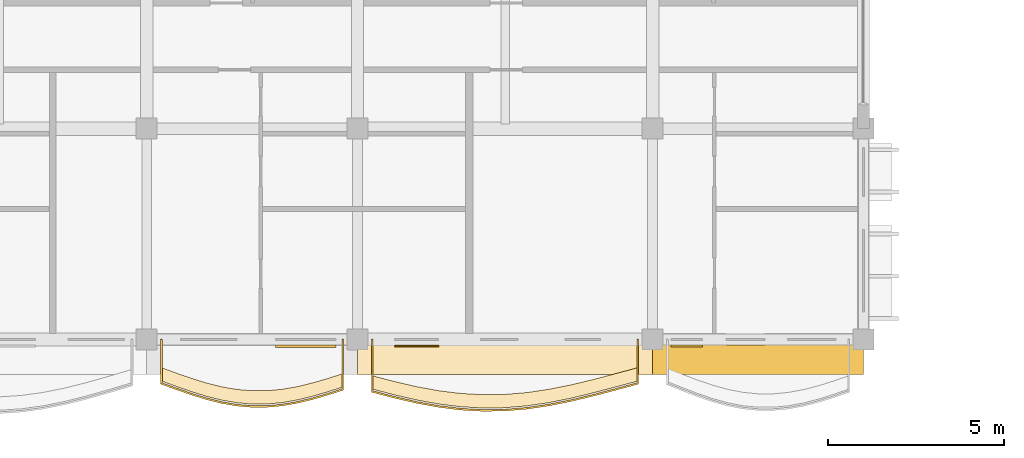
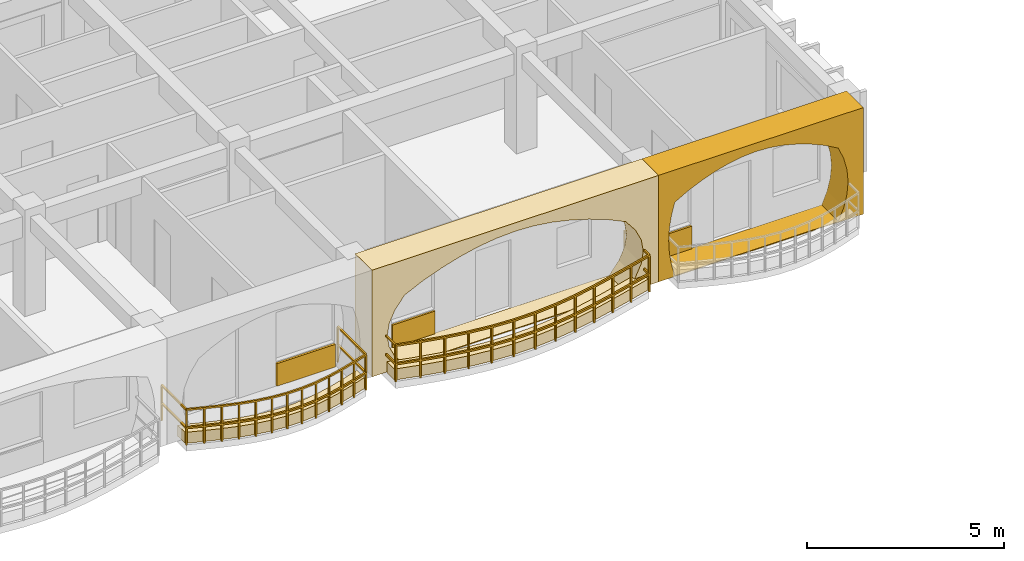
# One storey, part 54 of 79: 7 coverings, 2 railings.
"""IFC4 building model written with IfcOpenShell, lengths in metres."""

from ifc_helpers import new_model, si_unit, direction, frame, origin, origin_2d, place, context, subcontext, project, spatial, polyline, rectangle, outline, extrude, material, layer, layer_set, type_object, element, save


model = new_model("IFC4")

# Units and contexts
model_context = context("Model", 3, precision=1e-05, world=origin(), true_north=direction((0.0, 1.0)))
body_context = subcontext(model_context, "Body", "Model", "MODEL_VIEW")
ifc_project = project(units=[si_unit("LENGTHUNIT", "METRE"), si_unit("AREAUNIT", "SQUARE_METRE"), si_unit("VOLUMEUNIT", "CUBIC_METRE"), si_unit("PLANEANGLEUNIT", "RADIAN"), si_unit("MASSUNIT", "GRAM", prefix="KILO"), si_unit("THERMODYNAMICTEMPERATUREUNIT", "KELVIN")], contexts=[model_context])

# Site, building, storey
site_placement = place(None, origin())
site = spatial("IfcSite", under=ifc_project, at=site_placement, CompositionType="ELEMENT")
building_placement = place(site_placement, origin())
building = spatial("IfcBuilding", under=site, at=building_placement, Name="Thalorik Housing Commons", CompositionType="ELEMENT")
storey_placement = place(building_placement, frame((0.0, 0.0, 11.39990234375)))
storey = spatial("IfcBuildingStorey", under=building, at=storey_placement, Name="L03", CompositionType="ELEMENT", Elevation=11.39990234375)

# Coverings
ifc_material_1 = material(Name="Cobalt blue glazed ceramic facade tile panel", Category="masonry")
ifc_layer_1 = layer(ifc_material_1, 0.06005859375, Name="Cobalt blue glazed ceramic facade tile panel", Category="masonry")
ifc_layer_set_1 = layer_set([ifc_layer_1], Name="Cobalt blue glazed ceramic facade tile panel")
covering_type_1 = type_object("IfcCoveringType", Name="ARC-CLD-BLU-60", PredefinedType="CLADDING", material=ifc_layer_set_1)
covering_1_placement = place(storey_placement, frame((52.574951171875, 8.21240234375, 0.05029296875), z_axis=(0.0, 0.0, 1.0), x_axis=(1.0, 0.0, 0.0)))
element("IfcCovering", 1, at=covering_1_placement, inside=storey, type_object=covering_type_1, Name="L03 De Stijl Recessed Window Spandrel 3735", PredefinedType="CLADDING", context=body_context, shape_type="SweptSolid", body=[
    extrude(rectangle(XDim=0.89990234375, YDim=0.06005859375, at=origin_2d()), origin(), (0.0, 0.0, 1.0), 0.699951171875),
])
ifc_material_2 = material(Name="Precast concrete C40/50", Category="concrete")
ifc_layer_2 = layer(ifc_material_2, 0.85009765625, Name="Precast concrete C40/50", Category="concrete")
ifc_layer_set_2 = layer_set([ifc_layer_2], Name="Precast concrete C40/50")
covering_type_2 = type_object("IfcCoveringType", Name="ARC-CLD-CUSH-850", PredefinedType="CLADDING", material=ifc_layer_set_2)
covering_2_placement = place(storey_placement, frame((47.39990234375, 7.822509765625, 0.0), z_axis=(0.0, 0.0, 1.0), x_axis=(1.0, 0.0, 0.0)))
element("IfcCovering", 2, at=covering_2_placement, inside=storey, type_object=covering_type_2, Name="L03 White Precast Curved Cushion Bay Frame 3732", PredefinedType="CLADDING", context=body_context, shape_type="SweptSolid", body=[
    extrude(outline(polyline([(-4.199951171875, 0.0), (4.199951171875, 0.0), (4.199951171875, 3.300048828125), (-4.199951171875, 3.300048828125), (-4.199951171875, 0.0)]), holes=[polyline([(3.239990234375, 0.02490234375), (3.523193359375, 0.387451171875), (3.693359375, 0.75), (3.75, 1.112548828125), (3.693359375, 1.47509765625), (3.523193359375, 1.83740234375), (3.239990234375, 2.199951171875), (2.699951171875, 2.455810546875), (2.159912109375, 2.656494140625), (1.6201171875, 2.819091796875), (1.080078125, 2.940185546875), (0.5400390625, 3.014892578125), (0.0, 3.0400390625), (-0.5400390625, 3.014892578125), (-1.080078125, 2.940185546875), (-1.6201171875, 2.819091796875), (-2.159912109375, 2.656494140625), (-2.699951171875, 2.455810546875), (-3.239990234375, 2.199951171875), (-3.523193359375, 1.83740234375), (-3.693359375, 1.47509765625), (-3.75, 1.112548828125), (-3.693359375, 0.75), (-3.523193359375, 0.387451171875), (-3.239990234375, 0.02490234375), (3.239990234375, 0.02490234375)])]), frame((0.0, 0.425048828125, 0.0), z_axis=(0.0, -1.0, 0.0), x_axis=(1.0, 0.0, 0.0)), (0.0, 0.0, 1.0), 0.85009765625),
])
covering_3_placement = place(storey_placement, frame((54.60009765625, 7.822509765625, 0.0), z_axis=(0.0, 0.0, 1.0), x_axis=(1.0, 0.0, 0.0)))
element("IfcCovering", 3, at=covering_3_placement, inside=storey, type_object=covering_type_2, Name="L03 White Precast Curved Cushion Bay Frame 3734", PredefinedType="CLADDING", context=body_context, shape_type="SweptSolid", body=[
    extrude(outline(polyline([(-3.0, 0.0), (3.0, 0.0), (3.0, 3.300048828125), (-3.0, 3.300048828125), (-3.0, 0.0)]), holes=[polyline([(2.264892578125, 0.02490234375), (2.42333984375, 0.404296875), (2.518310546875, 0.783203125), (2.550048828125, 1.16259765625), (2.518310546875, 1.541748046875), (2.42333984375, 1.9208984375), (2.264892578125, 2.300048828125), (1.86572265625, 2.525390625), (1.466796875, 2.7021484375), (1.0673828125, 2.845458984375), (0.668212890625, 2.951904296875), (0.269287109375, 3.017822265625), (-0.1298828125, 3.0400390625), (-0.529296875, 3.017822265625), (-0.92822265625, 2.951904296875), (-1.327392578125, 2.845458984375), (-1.726806640625, 2.7021484375), (-2.125732421875, 2.525390625), (-2.52490234375, 2.300048828125), (-2.625244140625, 1.9208984375), (-2.685302734375, 1.541748046875), (-2.70556640625, 1.16259765625), (-2.685302734375, 0.783203125), (-2.625244140625, 0.404296875), (-2.52490234375, 0.02490234375), (2.264892578125, 0.02490234375)])]), frame((0.0, 0.425048828125, 0.0), z_axis=(0.0, -1.0, 0.0), x_axis=(1.0, 0.0, 0.0)), (0.0, 0.0, 1.0), 0.85009765625),
])
ifc_material_3 = material(Name="Terracotta red mineral fibre-cement panel", Category="masonry")
ifc_layer_3 = layer(ifc_material_3, 0.054931640625, Name="Terracotta red mineral fibre-cement panel", Category="masonry")
ifc_layer_set_3 = layer_set([ifc_layer_3], Name="Terracotta red mineral fibre-cement panel")
covering_type_3 = type_object("IfcCoveringType", Name="ARC-CLD-RED-55", PredefinedType="CLADDING", material=ifc_layer_set_3)
covering_4_placement = place(storey_placement, frame((44.885009765625, 8.215087890625, 0.05029296875), z_axis=(0.0, 0.0, 1.0), x_axis=(1.0, 0.0, 0.0)))
element("IfcCovering", 4, at=covering_4_placement, inside=storey, type_object=covering_type_3, Name="L03 De Stijl Recessed Window Spandrel 3733", PredefinedType="CLADDING", context=body_context, shape_type="SweptSolid", body=[
    extrude(rectangle(XDim=1.25, YDim=0.054931640625, at=origin_2d()), origin(), (0.0, 0.0, 1.0), 0.699951171875),
])
ifc_material_4 = material(Name="Mineral ochre architectural terracotta panel", Category="masonry")
ifc_layer_4 = layer(ifc_material_4, 0.06494140625, Name="Mineral ochre architectural terracotta panel", Category="masonry")
ifc_layer_set_4 = layer_set([ifc_layer_4], Name="Mineral ochre architectural terracotta panel")
covering_type_4 = type_object("IfcCoveringType", Name="ARC-CLD-YEL-65", PredefinedType="CLADDING", material=ifc_layer_set_4)
covering_5_placement = place(storey_placement, frame((41.72998046875, 8.2099609375, 0.05029296875), z_axis=(0.0, 0.0, 1.0), x_axis=(1.0, 0.0, 0.0)))
element("IfcCovering", 5, at=covering_5_placement, inside=storey, type_object=covering_type_4, Name="L03 De Stijl Recessed Window Spandrel 3731", PredefinedType="CLADDING", context=body_context, shape_type="SweptSolid", body=[
    extrude(rectangle(XDim=1.719970703125, YDim=0.06494140625, at=origin_2d()), origin(), (0.0, 0.0, 1.0), 0.699951171875),
])
ifc_material_5 = material(Name="Planted vegetated substrate and terracotta trough", Category="masonry")
ifc_layer_5 = layer(ifc_material_5, 0.340087890625, Name="Planted vegetated substrate and terracotta trough", Category="masonry")
ifc_layer_set_5 = layer_set([ifc_layer_5], Name="Planted vegetated substrate and terracotta trough")
covering_type_5 = type_object("IfcCoveringType", Name="ARC-COV-PLANTER", PredefinedType="USERDEFINED", material=ifc_layer_set_5)
covering_6_placement = place(storey_placement, origin())
element("IfcCovering", 6, at=covering_6_placement, inside=storey, type_object=covering_type_5, Name="L03 Balcony Slab-Edge Planted Trough 5584", ObjectType="PLANTER", PredefinedType="USERDEFINED", context=body_context, shape_type="SweptSolid", body=[
    extrude(outline(polyline([(37.6201171875, 7.21728515625), (38.050048828125, 7.0615234375), (38.47998046875, 6.912353515625), (38.909912109375, 6.77978515625), (39.340087890625, 6.673095703125), (39.77001953125, 6.5986328125), (40.199951171875, 6.561279296875), (40.6298828125, 6.5634765625), (41.06005859375, 6.603759765625), (41.489990234375, 6.67919921875), (41.919921875, 6.78369140625), (42.35009765625, 6.9091796875), (42.780029296875, 7.047119140625), (42.780029296875, 7.427001953125), (42.35009765625, 7.289306640625), (41.919921875, 7.16357421875), (41.489990234375, 7.05908203125), (41.06005859375, 6.98388671875), (40.6298828125, 6.943359375), (40.199951171875, 6.94140625), (39.77001953125, 6.978515625), (39.340087890625, 7.052978515625), (38.909912109375, 7.159912109375), (38.47998046875, 7.29248046875), (38.050048828125, 7.441650390625), (37.6201171875, 7.597412109375), (37.6201171875, 7.21728515625)])), origin(), (0.0, 0.0, 1.0), 0.340087890625),
])
covering_7_placement = place(storey_placement, origin())
element("IfcCovering", 7, at=covering_7_placement, inside=storey, type_object=covering_type_5, Name="L03 Balcony Slab-Edge Planted Trough 5585", ObjectType="PLANTER", PredefinedType="USERDEFINED", context=body_context, shape_type="SweptSolid", body=[
    extrude(outline(polyline([(43.6201171875, 6.98876953125), (44.25, 6.823974609375), (44.8798828125, 6.6787109375), (45.510009765625, 6.56298828125), (46.139892578125, 6.484619140625), (46.77001953125, 6.448974609375), (47.39990234375, 6.458251953125), (48.030029296875, 6.511474609375), (48.659912109375, 6.604736328125), (49.2900390625, 6.731689453125), (49.919921875, 6.88330078125), (50.550048828125, 7.04931640625), (51.179931640625, 7.218017578125), (51.179931640625, 7.597900390625), (50.550048828125, 7.42919921875), (49.919921875, 7.263427734375), (49.2900390625, 7.11181640625), (48.659912109375, 6.98486328125), (48.030029296875, 6.891357421875), (47.39990234375, 6.838134765625), (46.77001953125, 6.8291015625), (46.139892578125, 6.86474609375), (45.510009765625, 6.94287109375), (44.8798828125, 7.05859375), (44.25, 7.203857421875), (43.6201171875, 7.368896484375), (43.6201171875, 6.98876953125)])), origin(), (0.0, 0.0, 1.0), 0.340087890625),
])

# Railings
ifc_material_6 = material(Name="Steel S355", Category="steel")
railing_type_1 = type_object("IfcRailingType", Name="ARC-RL-BAL-112", PredefinedType="BALUSTRADE", material=ifc_material_6)
railing_1_placement = place(storey_placement, frame((37.6201171875, 8.39990234375, 0.0)))
element("IfcRailing", 8, at=railing_1_placement, inside=storey, type_object=railing_type_1, Name="L03 Cushion Balcony Guardrail 268", PredefinedType="BALUSTRADE", context=body_context, shape_type="SweptSolid", body=[
    extrude(rectangle(XDim=0.050048828125, YDim=0.050048828125, at=origin_2d()), frame((0.0, 0.0, 1.09521484375), z_axis=(0.0, -1.0, 0.0), x_axis=(1.0, 0.0, 0.0)), (0.0, 0.0, 1.0), 1.25244140625),
    extrude(rectangle(XDim=0.050048828125, YDim=0.050048828125, at=origin_2d()), frame((0.0, 0.0, 0.53515625), z_axis=(0.0, -1.0, 0.0), x_axis=(1.0, 0.0, 0.0)), (0.0, 0.0, 1.0), 1.25244140625),
    extrude(rectangle(XDim=0.050048828125, YDim=0.050048828125, at=origin_2d()), frame((0.0, -1.25244140625, 1.09521484375), z_axis=(0.940198058988, -0.3406282576, 0.0), x_axis=(0.3406282576, 0.940198058988, 0.0)), (0.0, 0.0, 1.0), 0.457275390625),
    extrude(rectangle(XDim=0.050048828125, YDim=0.050048828125, at=origin_2d()), frame((0.0, -1.25244140625, 0.53515625), z_axis=(0.940198058988, -0.3406282576, 0.0), x_axis=(0.3406282576, 0.940198058988, 0.0)), (0.0, 0.0, 1.0), 0.457275390625),
    extrude(rectangle(XDim=0.050048828125, YDim=0.050048828125, at=origin_2d()), frame((0.429931640625, -1.408203125, 1.09521484375), z_axis=(0.944583599267, -0.328270961244, 0.0), x_axis=(0.328270961244, 0.944583599267, 0.0)), (0.0, 0.0, 1.0), 0.455078125),
    extrude(rectangle(XDim=0.050048828125, YDim=0.050048828125, at=origin_2d()), frame((0.429931640625, -1.408203125, 0.53515625), z_axis=(0.944583599267, -0.328270961244, 0.0), x_axis=(0.328270961244, 0.944583599267, 0.0)), (0.0, 0.0, 1.0), 0.455078125),
    extrude(rectangle(XDim=0.050048828125, YDim=0.050048828125, at=origin_2d()), frame((0.85986328125, -1.5576171875, 1.09521484375), z_axis=(0.955755536076, -0.294162124108, 0.0), x_axis=(0.294162124108, 0.955755536076, 0.0)), (0.0, 0.0, 1.0), 0.449951171875),
    extrude(rectangle(XDim=0.050048828125, YDim=0.050048828125, at=origin_2d()), frame((0.85986328125, -1.5576171875, 0.53515625), z_axis=(0.955755536076, -0.294162124108, 0.0), x_axis=(0.294162124108, 0.955755536076, 0.0)), (0.0, 0.0, 1.0), 0.449951171875),
    extrude(rectangle(XDim=0.050048828125, YDim=0.050048828125, at=origin_2d()), frame((1.289794921875, -1.68994140625, 1.09521484375), z_axis=(0.970465619887, -0.241239467372, 0.0), x_axis=(0.241239467372, 0.970465619887, 0.0)), (0.0, 0.0, 1.0), 0.443359375),
    extrude(rectangle(XDim=0.050048828125, YDim=0.050048828125, at=origin_2d()), frame((1.289794921875, -1.68994140625, 0.53515625), z_axis=(0.970465619887, -0.241239467372, 0.0), x_axis=(0.241239467372, 0.970465619887, 0.0)), (0.0, 0.0, 1.0), 0.443359375),
    extrude(rectangle(XDim=0.050048828125, YDim=0.050048828125, at=origin_2d()), frame((1.719970703125, -1.796875, 1.09521484375), z_axis=(0.985330609253, -0.170656351972, 0.0), x_axis=(0.170656351972, 0.985330609253, 0.0)), (0.0, 0.0, 1.0), 0.436279296875),
    extrude(rectangle(XDim=0.050048828125, YDim=0.050048828125, at=origin_2d()), frame((1.719970703125, -1.796875, 0.53515625), z_axis=(0.985330609253, -0.170656351972, 0.0), x_axis=(0.170656351972, 0.985330609253, 0.0)), (0.0, 0.0, 1.0), 0.436279296875),
    extrude(rectangle(XDim=0.050048828125, YDim=0.050048828125, at=origin_2d()), frame((2.14990234375, -1.871337890625, 1.09521484375), z_axis=(0.996295581648, -0.085994848615, 0.0), x_axis=(0.085994848615, 0.996295581648, 0.0)), (0.0, 0.0, 1.0), 0.431640625),
    extrude(rectangle(XDim=0.050048828125, YDim=0.050048828125, at=origin_2d()), frame((2.14990234375, -1.871337890625, 0.53515625), z_axis=(0.996295581648, -0.085994848615, 0.0), x_axis=(0.085994848615, 0.996295581648, 0.0)), (0.0, 0.0, 1.0), 0.431640625),
    extrude(rectangle(XDim=0.050048828125, YDim=0.050048828125, at=origin_2d()), frame((2.579833984375, -1.908447265625, 1.09521484375), z_axis=(0.99998968131, 0.004542826491, 0.0), x_axis=(-0.004542826491, 0.99998968131, 0.0)), (0.0, 0.0, 1.0), 0.429931640625),
    extrude(rectangle(XDim=0.050048828125, YDim=0.050048828125, at=origin_2d()), frame((2.579833984375, -1.908447265625, 0.53515625), z_axis=(0.99998968131, 0.004542826491, 0.0), x_axis=(-0.004542826491, 0.99998968131, 0.0)), (0.0, 0.0, 1.0), 0.429931640625),
    extrude(rectangle(XDim=0.050048828125, YDim=0.050048828125, at=origin_2d()), frame((3.009765625, -1.906494140625, 1.09521484375), z_axis=(0.995644066759, 0.09323568162, 0.0), x_axis=(-0.09323568162, 0.995644066759, 0.0)), (0.0, 0.0, 1.0), 0.43212890625),
    extrude(rectangle(XDim=0.050048828125, YDim=0.050048828125, at=origin_2d()), frame((3.009765625, -1.906494140625, 0.53515625), z_axis=(0.995644066759, 0.09323568162, 0.0), x_axis=(-0.09323568162, 0.995644066759, 0.0)), (0.0, 0.0, 1.0), 0.43212890625),
    extrude(rectangle(XDim=0.050048828125, YDim=0.050048828125, at=origin_2d()), frame((3.43994140625, -1.8662109375, 1.09521484375), z_axis=(0.984952013954, 0.17282803652, 0.0), x_axis=(-0.17282803652, 0.984952013954, 0.0)), (0.0, 0.0, 1.0), 0.4365234375),
    extrude(rectangle(XDim=0.050048828125, YDim=0.050048828125, at=origin_2d()), frame((3.43994140625, -1.8662109375, 0.53515625), z_axis=(0.984952013954, 0.17282803652, 0.0), x_axis=(-0.17282803652, 0.984952013954, 0.0)), (0.0, 0.0, 1.0), 0.4365234375),
    extrude(rectangle(XDim=0.050048828125, YDim=0.050048828125, at=origin_2d()), frame((3.869873046875, -1.790771484375, 1.09521484375), z_axis=(0.97171211012, 0.236168531023, 0.0), x_axis=(-0.236168531023, 0.97171211012, 0.0)), (0.0, 0.0, 1.0), 0.4423828125),
    extrude(rectangle(XDim=0.050048828125, YDim=0.050048828125, at=origin_2d()), frame((3.869873046875, -1.790771484375, 0.53515625), z_axis=(0.97171211012, 0.236168531023, 0.0), x_axis=(-0.236168531023, 0.97171211012, 0.0)), (0.0, 0.0, 1.0), 0.4423828125),
    extrude(rectangle(XDim=0.050048828125, YDim=0.050048828125, at=origin_2d()), frame((4.2998046875, -1.686279296875, 1.09521484375), z_axis=(0.959841216107, 0.280543828771, 0.0), x_axis=(-0.280543828771, 0.959841216107, 0.0)), (0.0, 0.0, 1.0), 0.4482421875),
    extrude(rectangle(XDim=0.050048828125, YDim=0.050048828125, at=origin_2d()), frame((4.2998046875, -1.686279296875, 0.53515625), z_axis=(0.959841216107, 0.280543828771, 0.0), x_axis=(-0.280543828771, 0.959841216107, 0.0)), (0.0, 0.0, 1.0), 0.4482421875),
    extrude(rectangle(XDim=0.050048828125, YDim=0.050048828125, at=origin_2d()), frame((4.72998046875, -1.560546875, 1.09521484375), z_axis=(0.95234876715, 0.305011189479, 0.0), x_axis=(-0.305011189479, 0.95234876715, 0.0)), (0.0, 0.0, 1.0), 0.451416015625),
    extrude(rectangle(XDim=0.050048828125, YDim=0.050048828125, at=origin_2d()), frame((4.72998046875, -1.560546875, 0.53515625), z_axis=(0.95234876715, 0.305011189479, 0.0), x_axis=(-0.305011189479, 0.95234876715, 0.0)), (0.0, 0.0, 1.0), 0.451416015625),
    extrude(rectangle(XDim=0.050048828125, YDim=0.050048828125, at=origin_2d()), frame((5.159912109375, -1.4228515625, 1.09521484375), z_axis=(0.0, 1.0, 0.0), x_axis=(-1.0, 0.0, 0.0)), (0.0, 0.0, 1.0), 1.4228515625),
    extrude(rectangle(XDim=0.050048828125, YDim=0.050048828125, at=origin_2d()), frame((5.159912109375, -1.4228515625, 0.53515625), z_axis=(0.0, 1.0, 0.0), x_axis=(-1.0, 0.0, 0.0)), (0.0, 0.0, 1.0), 1.4228515625),
    extrude(rectangle(XDim=0.0419921875, YDim=0.0419921875, at=origin_2d()), origin(), (0.0, 0.0, 1.0), 1.070068359375),
    extrude(rectangle(XDim=0.0419921875, YDim=0.0419921875, at=origin_2d()), frame((0.0, -1.25244140625, 0.0)), (0.0, 0.0, 1.0), 1.070068359375),
    extrude(rectangle(XDim=0.0419921875, YDim=0.0419921875, at=origin_2d()), frame((0.429931640625, -1.408203125, 0.0)), (0.0, 0.0, 1.0), 1.070068359375),
    extrude(rectangle(XDim=0.0419921875, YDim=0.0419921875, at=origin_2d()), frame((0.85986328125, -1.5576171875, 0.0)), (0.0, 0.0, 1.0), 1.070068359375),
    extrude(rectangle(XDim=0.0419921875, YDim=0.0419921875, at=origin_2d()), frame((1.289794921875, -1.68994140625, 0.0)), (0.0, 0.0, 1.0), 1.070068359375),
    extrude(rectangle(XDim=0.0419921875, YDim=0.0419921875, at=origin_2d()), frame((1.719970703125, -1.796875, 0.0)), (0.0, 0.0, 1.0), 1.070068359375),
    extrude(rectangle(XDim=0.0419921875, YDim=0.0419921875, at=origin_2d()), frame((2.14990234375, -1.871337890625, 0.0)), (0.0, 0.0, 1.0), 1.070068359375),
    extrude(rectangle(XDim=0.0419921875, YDim=0.0419921875, at=origin_2d()), frame((2.579833984375, -1.908447265625, 0.0)), (0.0, 0.0, 1.0), 1.070068359375),
    extrude(rectangle(XDim=0.0419921875, YDim=0.0419921875, at=origin_2d()), frame((3.009765625, -1.906494140625, 0.0)), (0.0, 0.0, 1.0), 1.070068359375),
    extrude(rectangle(XDim=0.0419921875, YDim=0.0419921875, at=origin_2d()), frame((3.43994140625, -1.8662109375, 0.0)), (0.0, 0.0, 1.0), 1.070068359375),
    extrude(rectangle(XDim=0.0419921875, YDim=0.0419921875, at=origin_2d()), frame((3.869873046875, -1.790771484375, 0.0)), (0.0, 0.0, 1.0), 1.070068359375),
    extrude(rectangle(XDim=0.0419921875, YDim=0.0419921875, at=origin_2d()), frame((4.2998046875, -1.686279296875, 0.0)), (0.0, 0.0, 1.0), 1.070068359375),
    extrude(rectangle(XDim=0.0419921875, YDim=0.0419921875, at=origin_2d()), frame((4.72998046875, -1.560546875, 0.0)), (0.0, 0.0, 1.0), 1.070068359375),
    extrude(rectangle(XDim=0.0419921875, YDim=0.0419921875, at=origin_2d()), frame((5.159912109375, -1.4228515625, 0.0)), (0.0, 0.0, 1.0), 1.070068359375),
    extrude(rectangle(XDim=0.0419921875, YDim=0.0419921875, at=origin_2d()), frame((5.159912109375, 0.0, 0.0)), (0.0, 0.0, 1.0), 1.070068359375),
])
railing_type_2 = type_object("IfcRailingType", Name="ARC-RL-BAL-115", PredefinedType="BALUSTRADE", material=ifc_material_6)
railing_2_placement = place(storey_placement, frame((43.6201171875, 8.39990234375, 0.0)))
element("IfcRailing", 9, at=railing_2_placement, inside=storey, type_object=railing_type_2, Name="L03 Cushion Balcony Guardrail 269", PredefinedType="BALUSTRADE", context=body_context, shape_type="SweptSolid", body=[
    extrude(rectangle(XDim=0.050048828125, YDim=0.050048828125, at=origin_2d()), frame((0.0, 0.0, 1.125), z_axis=(0.0, -1.0, 0.0), x_axis=(1.0, 0.0, 0.0)), (0.0, 0.0, 1.0), 1.481201171875),
    extrude(rectangle(XDim=0.050048828125, YDim=0.050048828125, at=origin_2d()), frame((0.0, 0.0, 0.5498046875), z_axis=(0.0, -1.0, 0.0), x_axis=(1.0, 0.0, 0.0)), (0.0, 0.0, 1.0), 1.481201171875),
    extrude(rectangle(XDim=0.050048828125, YDim=0.050048828125, at=origin_2d()), frame((0.0, -1.481201171875, 1.125), z_axis=(0.967437836558, -0.253108736309, 0.0), x_axis=(0.253108736309, 0.967437836558, 0.0)), (0.0, 0.0, 1.0), 0.651123046875),
    extrude(rectangle(XDim=0.050048828125, YDim=0.050048828125, at=origin_2d()), frame((0.0, -1.481201171875, 0.5498046875), z_axis=(0.967437836558, -0.253108736309, 0.0), x_axis=(0.253108736309, 0.967437836558, 0.0)), (0.0, 0.0, 1.0), 0.651123046875),
    extrude(rectangle(XDim=0.050048828125, YDim=0.050048828125, at=origin_2d()), frame((0.6298828125, -1.64599609375, 1.125), z_axis=(0.974423013182, -0.224721586373, 0.0), x_axis=(0.224721586373, 0.974423013182, 0.0)), (0.0, 0.0, 1.0), 0.646484375),
    extrude(rectangle(XDim=0.050048828125, YDim=0.050048828125, at=origin_2d()), frame((0.6298828125, -1.64599609375, 0.5498046875), z_axis=(0.974423013182, -0.224721586373, 0.0), x_axis=(0.224721586373, 0.974423013182, 0.0)), (0.0, 0.0, 1.0), 0.646484375),
    extrude(rectangle(XDim=0.050048828125, YDim=0.050048828125, at=origin_2d()), frame((1.259765625, -1.791259765625, 1.125), z_axis=(0.983551311417, -0.180628950644, 0.0), x_axis=(0.180628950644, 0.983551311417, 0.0)), (0.0, 0.0, 1.0), 0.640625),
    extrude(rectangle(XDim=0.050048828125, YDim=0.050048828125, at=origin_2d()), frame((1.259765625, -1.791259765625, 0.5498046875), z_axis=(0.983551311417, -0.180628950644, 0.0), x_axis=(0.180628950644, 0.983551311417, 0.0)), (0.0, 0.0, 1.0), 0.640625),
    extrude(rectangle(XDim=0.050048828125, YDim=0.050048828125, at=origin_2d()), frame((1.889892578125, -1.906982421875, 1.125), z_axis=(0.992395778683, -0.123087848519, 0.0), x_axis=(0.123087848519, 0.992395778683, 0.0)), (0.0, 0.0, 1.0), 0.634765625),
    extrude(rectangle(XDim=0.050048828125, YDim=0.050048828125, at=origin_2d()), frame((1.889892578125, -1.906982421875, 0.5498046875), z_axis=(0.992395778683, -0.123087848519, 0.0), x_axis=(0.123087848519, 0.992395778683, 0.0)), (0.0, 0.0, 1.0), 0.634765625),
    extrude(rectangle(XDim=0.050048828125, YDim=0.050048828125, at=origin_2d()), frame((2.519775390625, -1.985107421875, 1.125), z_axis=(0.998382018141, -0.056862517112, 0.0), x_axis=(0.056862517112, 0.998382018141, 0.0)), (0.0, 0.0, 1.0), 0.631103515625),
    extrude(rectangle(XDim=0.050048828125, YDim=0.050048828125, at=origin_2d()), frame((2.519775390625, -1.985107421875, 0.5498046875), z_axis=(0.998382018141, -0.056862517112, 0.0), x_axis=(0.056862517112, 0.998382018141, 0.0)), (0.0, 0.0, 1.0), 0.631103515625),
    extrude(rectangle(XDim=0.050048828125, YDim=0.050048828125, at=origin_2d()), frame((3.14990234375, -2.02099609375, 1.125), z_axis=(0.999891550605, 0.014727084854, 0.0), x_axis=(-0.014727084854, 0.999891550605, 0.0)), (0.0, 0.0, 1.0), 0.6298828125),
    extrude(rectangle(XDim=0.050048828125, YDim=0.050048828125, at=origin_2d()), frame((3.14990234375, -2.02099609375, 0.5498046875), z_axis=(0.999891550605, 0.014727084854, 0.0), x_axis=(-0.014727084854, 0.999891550605, 0.0)), (0.0, 0.0, 1.0), 0.6298828125),
    extrude(rectangle(XDim=0.050048828125, YDim=0.050048828125, at=origin_2d()), frame((3.77978515625, -2.01171875, 1.125), z_axis=(0.996451941002, 0.084163705207, 0.0), x_axis=(-0.084163705207, 0.996451941002, 0.0)), (0.0, 0.0, 1.0), 0.63232421875),
    extrude(rectangle(XDim=0.050048828125, YDim=0.050048828125, at=origin_2d()), frame((3.77978515625, -2.01171875, 0.5498046875), z_axis=(0.996451941002, 0.084163705207, 0.0), x_axis=(-0.084163705207, 0.996451941002, 0.0)), (0.0, 0.0, 1.0), 0.63232421875),
    extrude(rectangle(XDim=0.050048828125, YDim=0.050048828125, at=origin_2d()), frame((4.409912109375, -1.95849609375, 1.125), z_axis=(0.989160190841, 0.146840446935, 0.0), x_axis=(-0.146840446935, 0.989160190841, 0.0)), (0.0, 0.0, 1.0), 0.63671875),
    extrude(rectangle(XDim=0.050048828125, YDim=0.050048828125, at=origin_2d()), frame((4.409912109375, -1.95849609375, 0.5498046875), z_axis=(0.989160190841, 0.146840446935, 0.0), x_axis=(-0.146840446935, 0.989160190841, 0.0)), (0.0, 0.0, 1.0), 0.63671875),
    extrude(rectangle(XDim=0.050048828125, YDim=0.050048828125, at=origin_2d()), frame((5.039794921875, -1.864990234375, 1.125), z_axis=(0.980302136638, 0.197503723771, 0.0), x_axis=(-0.197503723771, 0.980302136638, 0.0)), (0.0, 0.0, 1.0), 0.642822265625),
    extrude(rectangle(XDim=0.050048828125, YDim=0.050048828125, at=origin_2d()), frame((5.039794921875, -1.864990234375, 0.5498046875), z_axis=(0.980302136638, 0.197503723771, 0.0), x_axis=(-0.197503723771, 0.980302136638, 0.0)), (0.0, 0.0, 1.0), 0.642822265625),
    extrude(rectangle(XDim=0.050048828125, YDim=0.050048828125, at=origin_2d()), frame((5.669921875, -1.738037109375, 1.125), z_axis=(0.972233164098, 0.234014261591, 0.0), x_axis=(-0.234014261591, 0.972233164098, 0.0)), (0.0, 0.0, 1.0), 0.64794921875),
    extrude(rectangle(XDim=0.050048828125, YDim=0.050048828125, at=origin_2d()), frame((5.669921875, -1.738037109375, 0.5498046875), z_axis=(0.972233164098, 0.234014261591, 0.0), x_axis=(-0.234014261591, 0.972233164098, 0.0)), (0.0, 0.0, 1.0), 0.64794921875),
    extrude(rectangle(XDim=0.050048828125, YDim=0.050048828125, at=origin_2d()), frame((6.2998046875, -1.58642578125, 1.125), z_axis=(0.967093948821, 0.254419523925, 0.0), x_axis=(-0.254419523925, 0.967093948821, 0.0)), (0.0, 0.0, 1.0), 0.651611328125),
    extrude(rectangle(XDim=0.050048828125, YDim=0.050048828125, at=origin_2d()), frame((6.2998046875, -1.58642578125, 0.5498046875), z_axis=(0.967093948821, 0.254419523925, 0.0), x_axis=(-0.254419523925, 0.967093948821, 0.0)), (0.0, 0.0, 1.0), 0.651611328125),
    extrude(rectangle(XDim=0.050048828125, YDim=0.050048828125, at=origin_2d()), frame((6.929931640625, -1.420654296875, 1.125), z_axis=(0.965954734925, 0.258711132493, 0.0), x_axis=(-0.258711132493, 0.965954734925, 0.0)), (0.0, 0.0, 1.0), 0.652099609375),
    extrude(rectangle(XDim=0.050048828125, YDim=0.050048828125, at=origin_2d()), frame((6.929931640625, -1.420654296875, 0.5498046875), z_axis=(0.965954734925, 0.258711132493, 0.0), x_axis=(-0.258711132493, 0.965954734925, 0.0)), (0.0, 0.0, 1.0), 0.652099609375),
    extrude(rectangle(XDim=0.050048828125, YDim=0.050048828125, at=origin_2d()), frame((7.559814453125, -1.251953125, 1.125), z_axis=(0.0, 1.0, 0.0), x_axis=(-1.0, 0.0, 0.0)), (0.0, 0.0, 1.0), 1.251953125),
    extrude(rectangle(XDim=0.050048828125, YDim=0.050048828125, at=origin_2d()), frame((7.559814453125, -1.251953125, 0.5498046875), z_axis=(0.0, 1.0, 0.0), x_axis=(-1.0, 0.0, 0.0)), (0.0, 0.0, 1.0), 1.251953125),
    extrude(rectangle(XDim=0.0419921875, YDim=0.0419921875, at=origin_2d()), origin(), (0.0, 0.0, 1.0), 1.099853515625),
    extrude(rectangle(XDim=0.0419921875, YDim=0.0419921875, at=origin_2d()), frame((0.0, -1.481201171875, 0.0)), (0.0, 0.0, 1.0), 1.099853515625),
    extrude(rectangle(XDim=0.0419921875, YDim=0.0419921875, at=origin_2d()), frame((0.6298828125, -1.64599609375, 0.0)), (0.0, 0.0, 1.0), 1.099853515625),
    extrude(rectangle(XDim=0.0419921875, YDim=0.0419921875, at=origin_2d()), frame((1.259765625, -1.791259765625, 0.0)), (0.0, 0.0, 1.0), 1.099853515625),
    extrude(rectangle(XDim=0.0419921875, YDim=0.0419921875, at=origin_2d()), frame((1.889892578125, -1.906982421875, 0.0)), (0.0, 0.0, 1.0), 1.099853515625),
    extrude(rectangle(XDim=0.0419921875, YDim=0.0419921875, at=origin_2d()), frame((2.519775390625, -1.985107421875, 0.0)), (0.0, 0.0, 1.0), 1.099853515625),
    extrude(rectangle(XDim=0.0419921875, YDim=0.0419921875, at=origin_2d()), frame((3.14990234375, -2.02099609375, 0.0)), (0.0, 0.0, 1.0), 1.099853515625),
    extrude(rectangle(XDim=0.0419921875, YDim=0.0419921875, at=origin_2d()), frame((3.77978515625, -2.01171875, 0.0)), (0.0, 0.0, 1.0), 1.099853515625),
    extrude(rectangle(XDim=0.0419921875, YDim=0.0419921875, at=origin_2d()), frame((4.409912109375, -1.95849609375, 0.0)), (0.0, 0.0, 1.0), 1.099853515625),
    extrude(rectangle(XDim=0.0419921875, YDim=0.0419921875, at=origin_2d()), frame((5.039794921875, -1.864990234375, 0.0)), (0.0, 0.0, 1.0), 1.099853515625),
    extrude(rectangle(XDim=0.0419921875, YDim=0.0419921875, at=origin_2d()), frame((5.669921875, -1.738037109375, 0.0)), (0.0, 0.0, 1.0), 1.099853515625),
    extrude(rectangle(XDim=0.0419921875, YDim=0.0419921875, at=origin_2d()), frame((6.2998046875, -1.58642578125, 0.0)), (0.0, 0.0, 1.0), 1.099853515625),
    extrude(rectangle(XDim=0.0419921875, YDim=0.0419921875, at=origin_2d()), frame((6.929931640625, -1.420654296875, 0.0)), (0.0, 0.0, 1.0), 1.099853515625),
    extrude(rectangle(XDim=0.0419921875, YDim=0.0419921875, at=origin_2d()), frame((7.559814453125, -1.251953125, 0.0)), (0.0, 0.0, 1.0), 1.099853515625),
    extrude(rectangle(XDim=0.0419921875, YDim=0.0419921875, at=origin_2d()), frame((7.559814453125, 0.0, 0.0)), (0.0, 0.0, 1.0), 1.099853515625),
])

save(model, "model.ifc")
